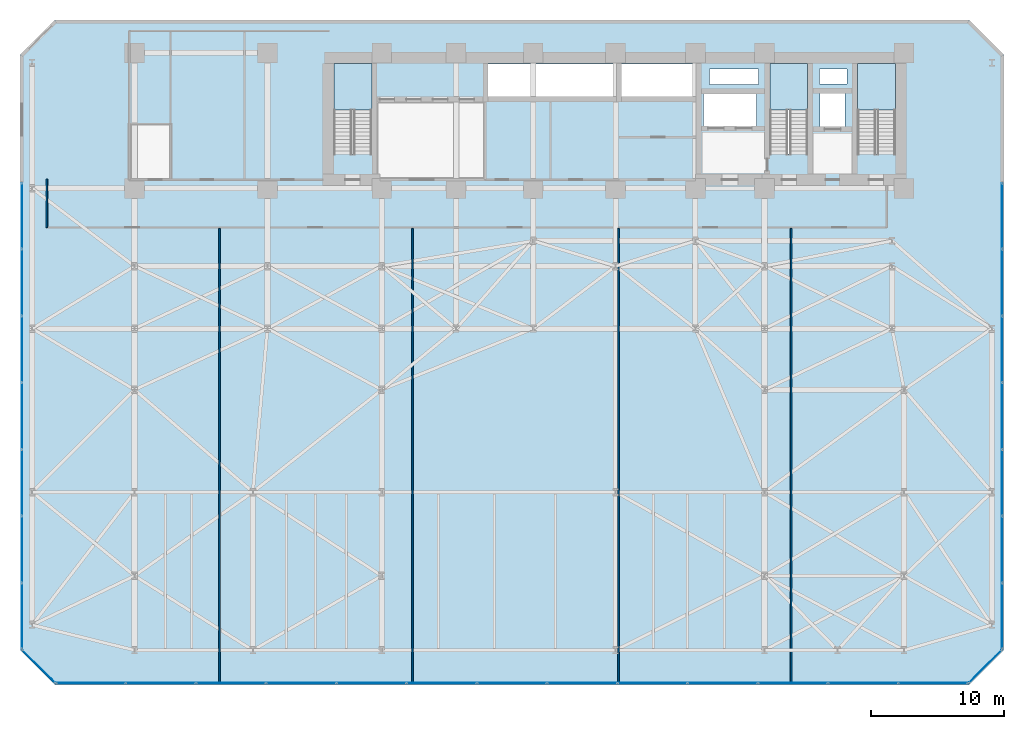
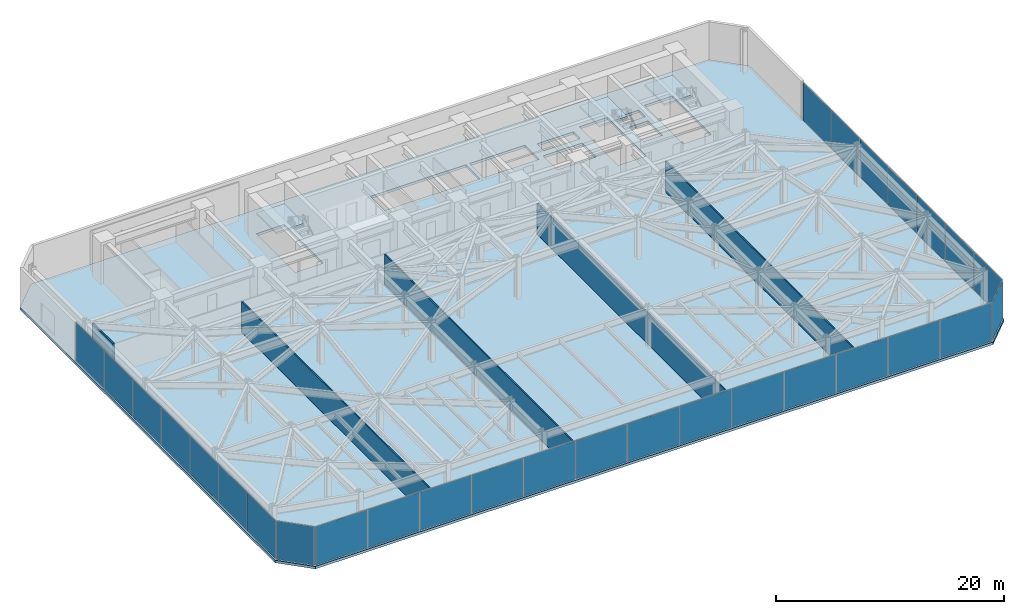
# One storey, part 24 of 28: 29 plates, 5 walls, 4 slabs, 8 elements without a shape of their own.
"""IFC4 building model written with IfcOpenShell, lengths in metres."""

from ifc_helpers import new_model, si_unit, direction, frame, frame_2d, origin, origin_2d, place, context, subcontext, project, spatial, polyline, rectangle, outline, extrude, material, layer, layer_set, type_object, element, aggregate, save


model = new_model("IFC4")

# Units and contexts
model_context = context("Model", 3, precision=1e-05, world=origin(), true_north=direction((0.0, 1.0)))
body_context = subcontext(model_context, "Body", "Model", "MODEL_VIEW")
ifc_project = project(units=[si_unit("LENGTHUNIT", "METRE"), si_unit("AREAUNIT", "SQUARE_METRE"), si_unit("VOLUMEUNIT", "CUBIC_METRE"), si_unit("PLANEANGLEUNIT", "RADIAN"), si_unit("MASSUNIT", "GRAM", prefix="KILO")], contexts=[model_context])

# Site, building, storey
site_placement = place(None, origin())
site = spatial("IfcSite", under=ifc_project, at=site_placement, CompositionType="ELEMENT")
building_placement = place(site_placement, origin())
building = spatial("IfcBuilding", under=site, at=building_placement, Name="Kravanh Interchange Tower", CompositionType="ELEMENT")
storey_placement = place(building_placement, frame((0.0, 0.0, 10.800048828125)))
storey = spatial("IfcBuildingStorey", under=building, at=storey_placement, Name="L02", CompositionType="ELEMENT", Elevation=10.800048828125)

# Slab
ifc_material_1 = material(Name="Concrete C50/60", Category="concrete")
ifc_layer_1 = layer(ifc_material_1, 0.27001953125)
ifc_layer_set_1 = layer_set([ifc_layer_1], Name="Composite Floor Slab Concrete C50/60 270mm")
slab_type_1 = type_object("IfcSlabType", Name="Composite Floor Slab Concrete C50/60 270mm", PredefinedType="FLOOR", material=ifc_layer_set_1)
slab_1_placement = place(storey_placement, frame((0.0, 0.0, -0.27001953125)))
element("IfcSlab", 1, at=slab_1_placement, inside=storey, type_object=slab_type_1, Name="L02 Structural Floor Slab", PredefinedType="FLOOR", context=body_context, shape_type="SweptSolid", body=[
    extrude(outline(polyline([(0.0, 2.60009765625), (2.60009765625, 0.0), (71.39990234375, 0.0), (74.0, 2.60009765625), (74.0, 47.39990234375), (71.39990234375, 50.0), (2.60009765625, 50.0), (0.0, 47.39990234375), (0.0, 2.60009765625)]), holes=[polyline([(65.85009765625, 39.925048828125), (65.85009765625, 46.75), (63.0, 46.75), (63.0, 39.925048828125), (65.85009765625, 39.925048828125)]), polyline([(59.25, 39.925048828125), (59.25, 46.75), (56.39990234375, 46.75), (56.39990234375, 39.925048828125), (59.25, 39.925048828125)]), polyline([(26.449951171875, 39.925048828125), (26.449951171875, 46.75), (23.60009765625, 46.75), (23.60009765625, 39.925048828125), (26.449951171875, 39.925048828125)]), polyline([(35.179931640625, 44.219970703125), (44.840087890625, 44.219970703125), (44.840087890625, 46.699951171875), (35.179931640625, 46.699951171875), (35.179931640625, 44.219970703125)]), polyline([(45.239990234375, 44.219970703125), (50.840087890625, 44.219970703125), (50.840087890625, 46.699951171875), (45.239990234375, 46.699951171875), (45.239990234375, 44.219970703125)]), polyline([(51.419921875, 42.02001953125), (55.3798828125, 42.02001953125), (55.3798828125, 44.47998046875), (51.419921875, 44.47998046875), (51.419921875, 42.02001953125)]), polyline([(60.179931640625, 41.97998046875), (62.06005859375, 41.97998046875), (62.06005859375, 44.52001953125), (60.179931640625, 44.52001953125), (60.179931640625, 41.97998046875)]), polyline([(60.14990234375, 45.199951171875), (62.199951171875, 45.199951171875), (62.199951171875, 46.35009765625), (60.14990234375, 46.35009765625), (60.14990234375, 45.199951171875)]), polyline([(51.85009765625, 45.14990234375), (55.550048828125, 45.14990234375), (55.550048828125, 46.35009765625), (51.85009765625, 46.35009765625), (51.85009765625, 45.14990234375)])]), origin(), (0.0, 0.0, 1.0), 0.27001953125),
])

# Stair, slab
ifc_material_2 = material(Name="Concrete C50/60", Category="concrete")
stair_type = type_object("IfcStairType", Name="Core Fire Exit Dogleg Stair Concrete C50/60", PredefinedType="HALF_TURN_STAIR", material=ifc_material_2)
stair_1_placement = place(storey_placement, origin())
stair_1 = element("IfcStair", 2, at=stair_1_placement, inside=storey, type_object=stair_type, Name="L02 Exit Stair ST1", PredefinedType="HALF_TURN_STAIR")
ifc_material_3 = material(Name="Concrete C50/60", Category="concrete")
ifc_layer_2 = layer(ifc_material_3, 0.199951171875)
ifc_layer_set_2 = layer_set([ifc_layer_2], Name="Concrete C50/60 Stair Half-Landing Slab 200mm")
slab_type_2 = type_object("IfcSlabType", Name="Concrete C50/60 Stair Half-Landing Slab 200mm", PredefinedType="LANDING", material=ifc_layer_set_2)
slab_2_placement = place(storey_placement, frame((0.0, 0.0, 2.050048828125)))
slab_2 = element("IfcSlab", 3, at=slab_2_placement, type_object=slab_type_2, Name="ST1 landing 1", PredefinedType="LANDING", context=body_context, shape_type="SweptSolid", body=[
    extrude(outline(polyline([(65.85009765625, 43.260009765625), (65.85009765625, 46.75), (63.0, 46.75), (63.0, 43.260009765625), (65.85009765625, 43.260009765625)])), origin(), (0.0, 0.0, 1.0), 0.199951171875),
])
aggregate(stair_1, [slab_2])

stair_2_placement = place(storey_placement, origin())
stair_2 = element("IfcStair", 4, at=stair_2_placement, inside=storey, type_object=stair_type, Name="L02 Exit Stair ST2", PredefinedType="HALF_TURN_STAIR")
slab_3_placement = place(storey_placement, frame((0.0, 0.0, 2.050048828125)))
slab_3 = element("IfcSlab", 5, at=slab_3_placement, type_object=slab_type_2, Name="ST2 landing 1", PredefinedType="LANDING", context=body_context, shape_type="SweptSolid", body=[
    extrude(outline(polyline([(59.25, 43.260009765625), (59.25, 46.75), (56.39990234375, 46.75), (56.39990234375, 43.260009765625), (59.25, 43.260009765625)])), origin(), (0.0, 0.0, 1.0), 0.199951171875),
])
aggregate(stair_2, [slab_3])

stair_3_placement = place(storey_placement, origin())
stair_3 = element("IfcStair", 6, at=stair_3_placement, inside=storey, type_object=stair_type, Name="L02 Exit Stair ST3", PredefinedType="HALF_TURN_STAIR")
slab_4_placement = place(storey_placement, frame((0.0, 0.0, 2.050048828125)))
slab_4 = element("IfcSlab", 7, at=slab_4_placement, type_object=slab_type_2, Name="ST3 landing 1", PredefinedType="LANDING", context=body_context, shape_type="SweptSolid", body=[
    extrude(outline(polyline([(26.449951171875, 43.260009765625), (26.449951171875, 46.75), (23.60009765625, 46.75), (23.60009765625, 43.260009765625), (26.449951171875, 43.260009765625)])), origin(), (0.0, 0.0, 1.0), 0.199951171875),
])
aggregate(stair_3, [slab_4])

# Curtain wall, plates
ifc_material_4 = material(Name="Anodised Bronze Aluminium", Category="aluminium")
ifc_layer_3 = layer(ifc_material_4, 0.179931640625)
ifc_layer_set_3 = layer_set([ifc_layer_3], Name="Unitised Curtain Wall System CW-POD Podium Concourse")
curtain_wall_type = type_object("IfcCurtainWallType", Name="Unitised Curtain Wall System CW-POD Podium Concourse", PredefinedType="NOTDEFINED", material=ifc_layer_set_3)
curtain_wall_1_placement = place(storey_placement, origin())
curtain_wall_1 = element("IfcCurtainWall", 8, at=curtain_wall_1_placement, inside=storey, type_object=curtain_wall_type, Name="L02 Unitised Curtain Wall CW-L02-01", PredefinedType="NOTDEFINED")
ifc_material_5 = material(Name="Low-E Laminated Architectural Glass", Category="glass")
ifc_layer_4 = layer(ifc_material_5, 0.031982421875)
ifc_layer_set_4 = layer_set([ifc_layer_4], Name="Low-E Laminated Glazing 32mm")
plate_type = type_object("IfcPlateType", Name="Low-E Laminated Glazing 32mm", PredefinedType="CURTAIN_PANEL", material=ifc_layer_set_4)
plate_1_placement = place(storey_placement, frame((0.1201171875, 5.177978515625, 0.06005859375), z_axis=(0.0, 0.0, 1.0), x_axis=(0.0, 1.0, 0.0)))
plate_1 = element("IfcPlate", 9, at=plate_1_placement, type_object=plate_type, Name="CW-POD panel 1.1", PredefinedType="CURTAIN_PANEL", context=body_context, shape_type="SweptSolid", body=[
    extrude(rectangle(XDim=4.91650390625, YDim=0.031982421875, at=origin_2d()), origin(), (0.0, 0.0, 1.0), 4.110107421875),
])
plate_2_placement = place(storey_placement, frame((0.1201171875, 10.181884765625, 0.06005859375), z_axis=(0.0, 0.0, 1.0), x_axis=(0.0, 1.0, 0.0)))
plate_2 = element("IfcPlate", 10, at=plate_2_placement, type_object=plate_type, Name="CW-POD panel 2.1", PredefinedType="CURTAIN_PANEL", context=body_context, shape_type="SweptSolid", body=[
    extrude(rectangle(XDim=4.951416015625, YDim=0.031982421875, at=origin_2d()), origin(), (0.0, 0.0, 1.0), 4.110107421875),
])
plate_3_placement = place(storey_placement, frame((0.1201171875, 15.203369140625, 0.06005859375), z_axis=(0.0, 0.0, 1.0), x_axis=(0.0, 1.0, 0.0)))
plate_3 = element("IfcPlate", 11, at=plate_3_placement, type_object=plate_type, Name="CW-POD panel 3.1", PredefinedType="CURTAIN_PANEL", context=body_context, shape_type="SweptSolid", body=[
    extrude(rectangle(XDim=4.951416015625, YDim=0.031982421875, at=origin_2d()), origin(), (0.0, 0.0, 1.0), 4.110107421875),
])
plate_4_placement = place(storey_placement, frame((0.1201171875, 20.224853515625, 0.06005859375), z_axis=(0.0, 0.0, 1.0), x_axis=(0.0, 1.0, 0.0)))
plate_4 = element("IfcPlate", 12, at=plate_4_placement, type_object=plate_type, Name="CW-POD panel 4.1", PredefinedType="CURTAIN_PANEL", context=body_context, shape_type="SweptSolid", body=[
    extrude(rectangle(XDim=4.951416015625, YDim=0.031982421875, at=origin_2d()), origin(), (0.0, 0.0, 1.0), 4.110107421875),
])
plate_5_placement = place(storey_placement, frame((0.1201171875, 25.246337890625, 0.06005859375), z_axis=(0.0, 0.0, 1.0), x_axis=(0.0, 1.0, 0.0)))
plate_5 = element("IfcPlate", 13, at=plate_5_placement, type_object=plate_type, Name="CW-POD panel 5.1", PredefinedType="CURTAIN_PANEL", context=body_context, shape_type="SweptSolid", body=[
    extrude(rectangle(XDim=4.951416015625, YDim=0.031982421875, at=origin_2d()), origin(), (0.0, 0.0, 1.0), 4.110107421875),
])
plate_6_placement = place(storey_placement, frame((0.1201171875, 30.267822265625, 0.06005859375), z_axis=(0.0, 0.0, 1.0), x_axis=(0.0, 1.0, 0.0)))
plate_6 = element("IfcPlate", 14, at=plate_6_placement, type_object=plate_type, Name="CW-POD panel 6.1", PredefinedType="CURTAIN_PANEL", context=body_context, shape_type="SweptSolid", body=[
    extrude(rectangle(XDim=4.951416015625, YDim=0.031982421875, at=origin_2d()), origin(), (0.0, 0.0, 1.0), 4.110107421875),
])
plate_7_placement = place(storey_placement, frame((0.1201171875, 35.271728515625, 0.06005859375), z_axis=(0.0, 0.0, 1.0), x_axis=(0.0, 1.0, 0.0)))
plate_7 = element("IfcPlate", 15, at=plate_7_placement, type_object=plate_type, Name="CW-POD panel 7.1", PredefinedType="CURTAIN_PANEL", context=body_context, shape_type="SweptSolid", body=[
    extrude(rectangle(XDim=4.91650390625, YDim=0.031982421875, at=origin_2d()), origin(), (0.0, 0.0, 1.0), 4.110107421875),
])
aggregate(curtain_wall_1, [plate_1, plate_2, plate_3, plate_4, plate_5, plate_6, plate_7])

curtain_wall_2_placement = place(storey_placement, origin())
curtain_wall_2 = element("IfcCurtainWall", 16, at=curtain_wall_2_placement, inside=storey, type_object=curtain_wall_type, Name="L02 Unitised Curtain Wall CW-L02-02", PredefinedType="NOTDEFINED")
plate_8_placement = place(storey_placement, frame((73.8798828125, 35.271728515625, 0.06005859375), z_axis=(0.0, 0.0, 1.0), x_axis=(0.0, -1.0, 0.0)))
plate_8 = element("IfcPlate", 17, at=plate_8_placement, type_object=plate_type, Name="CW-POD panel 1.1", PredefinedType="CURTAIN_PANEL", context=body_context, shape_type="SweptSolid", body=[
    extrude(rectangle(XDim=4.91650390625, YDim=0.031982421875, at=origin_2d()), origin(), (0.0, 0.0, 1.0), 4.110107421875),
])
plate_9_placement = place(storey_placement, frame((73.8798828125, 30.267822265625, 0.06005859375), z_axis=(0.0, 0.0, 1.0), x_axis=(0.0, -1.0, 0.0)))
plate_9 = element("IfcPlate", 18, at=plate_9_placement, type_object=plate_type, Name="CW-POD panel 2.1", PredefinedType="CURTAIN_PANEL", context=body_context, shape_type="SweptSolid", body=[
    extrude(rectangle(XDim=4.951416015625, YDim=0.031982421875, at=origin_2d()), origin(), (0.0, 0.0, 1.0), 4.110107421875),
])
plate_10_placement = place(storey_placement, frame((73.8798828125, 25.246337890625, 0.06005859375), z_axis=(0.0, 0.0, 1.0), x_axis=(0.0, -1.0, 0.0)))
plate_10 = element("IfcPlate", 19, at=plate_10_placement, type_object=plate_type, Name="CW-POD panel 3.1", PredefinedType="CURTAIN_PANEL", context=body_context, shape_type="SweptSolid", body=[
    extrude(rectangle(XDim=4.951416015625, YDim=0.031982421875, at=origin_2d()), origin(), (0.0, 0.0, 1.0), 4.110107421875),
])
plate_11_placement = place(storey_placement, frame((73.8798828125, 20.224853515625, 0.06005859375), z_axis=(0.0, 0.0, 1.0), x_axis=(0.0, -1.0, 0.0)))
plate_11 = element("IfcPlate", 20, at=plate_11_placement, type_object=plate_type, Name="CW-POD panel 4.1", PredefinedType="CURTAIN_PANEL", context=body_context, shape_type="SweptSolid", body=[
    extrude(rectangle(XDim=4.951416015625, YDim=0.031982421875, at=origin_2d()), origin(), (0.0, 0.0, 1.0), 4.110107421875),
])
plate_12_placement = place(storey_placement, frame((73.8798828125, 15.203369140625, 0.06005859375), z_axis=(0.0, 0.0, 1.0), x_axis=(0.0, -1.0, 0.0)))
plate_12 = element("IfcPlate", 21, at=plate_12_placement, type_object=plate_type, Name="CW-POD panel 5.1", PredefinedType="CURTAIN_PANEL", context=body_context, shape_type="SweptSolid", body=[
    extrude(rectangle(XDim=4.951416015625, YDim=0.031982421875, at=origin_2d()), origin(), (0.0, 0.0, 1.0), 4.110107421875),
])
plate_13_placement = place(storey_placement, frame((73.8798828125, 10.181884765625, 0.06005859375), z_axis=(0.0, 0.0, 1.0), x_axis=(0.0, -1.0, 0.0)))
plate_13 = element("IfcPlate", 22, at=plate_13_placement, type_object=plate_type, Name="CW-POD panel 6.1", PredefinedType="CURTAIN_PANEL", context=body_context, shape_type="SweptSolid", body=[
    extrude(rectangle(XDim=4.951416015625, YDim=0.031982421875, at=origin_2d()), origin(), (0.0, 0.0, 1.0), 4.110107421875),
])
plate_14_placement = place(storey_placement, frame((73.8798828125, 5.177978515625, 0.06005859375), z_axis=(0.0, 0.0, 1.0), x_axis=(0.0, -1.0, 0.0)))
plate_14 = element("IfcPlate", 23, at=plate_14_placement, type_object=plate_type, Name="CW-POD panel 7.1", PredefinedType="CURTAIN_PANEL", context=body_context, shape_type="SweptSolid", body=[
    extrude(rectangle(XDim=4.91650390625, YDim=0.031982421875, at=origin_2d()), origin(), (0.0, 0.0, 1.0), 4.110107421875),
])
aggregate(curtain_wall_2, [plate_8, plate_9, plate_10, plate_11, plate_12, plate_13, plate_14])

# Curtain wall, plate
curtain_wall_3_placement = place(storey_placement, origin())
curtain_wall_3 = element("IfcCurtainWall", 24, at=curtain_wall_3_placement, inside=storey, type_object=curtain_wall_type, Name="L02 Unitised Curtain Wall CW-L02-03", PredefinedType="NOTDEFINED")
plate_15_placement = place(storey_placement, frame((72.615234375, 1.384765625, 0.06005859375), z_axis=(0.0, 0.0, 1.0), x_axis=(-0.707106781187, -0.707106781187, 0.0)))
plate_15 = element("IfcPlate", 25, at=plate_15_placement, type_object=plate_type, Name="CW-POD panel 1.1", PredefinedType="CURTAIN_PANEL", context=body_context, shape_type="SweptSolid", body=[
    extrude(rectangle(XDim=3.4375, YDim=0.031982421875, at=origin_2d()), origin(), (0.0, 0.0, 1.0), 4.110107421875),
])
aggregate(curtain_wall_3, [plate_15])

# Curtain wall, plates
curtain_wall_4_placement = place(storey_placement, origin())
curtain_wall_4 = element("IfcCurtainWall", 26, at=curtain_wall_4_placement, inside=storey, type_object=curtain_wall_type, Name="L02 Unitised Curtain Wall CW-L02-04", PredefinedType="NOTDEFINED")
plate_16_placement = place(storey_placement, frame((68.6904296875, 0.1201171875, 0.06005859375), z_axis=(0.0, 0.0, 1.0), x_axis=(-1.0, 0.0, 0.0)))
plate_16 = element("IfcPlate", 27, at=plate_16_placement, type_object=plate_type, Name="CW-POD panel 1.1", PredefinedType="CURTAIN_PANEL", context=body_context, shape_type="SweptSolid", body=[
    extrude(rectangle(XDim=5.1796875, YDim=0.031982421875, at=origin_2d()), origin(), (0.0, 0.0, 1.0), 4.110107421875),
])
plate_17_placement = place(storey_placement, frame((63.42333984375, 0.1201171875, 0.06005859375), z_axis=(0.0, 0.0, 1.0), x_axis=(-1.0, 0.0, 0.0)))
plate_17 = element("IfcPlate", 28, at=plate_17_placement, type_object=plate_type, Name="CW-POD panel 2.1", PredefinedType="CURTAIN_PANEL", context=body_context, shape_type="SweptSolid", body=[
    extrude(rectangle(XDim=5.214599609375, YDim=0.031982421875, at=origin_2d()), origin(), (0.0, 0.0, 1.0), 4.110107421875),
])
plate_18_placement = place(storey_placement, frame((58.138671875, 0.1201171875, 0.06005859375), z_axis=(0.0, 0.0, 1.0), x_axis=(-1.0, 0.0, 0.0)))
plate_18 = element("IfcPlate", 29, at=plate_18_placement, type_object=plate_type, Name="CW-POD panel 3.1", PredefinedType="CURTAIN_PANEL", context=body_context, shape_type="SweptSolid", body=[
    extrude(rectangle(XDim=5.214599609375, YDim=0.031982421875, at=origin_2d()), origin(), (0.0, 0.0, 1.0), 4.110107421875),
])
plate_19_placement = place(storey_placement, frame((52.85400390625, 0.1201171875, 0.06005859375), z_axis=(0.0, 0.0, 1.0), x_axis=(-1.0, 0.0, 0.0)))
plate_19 = element("IfcPlate", 30, at=plate_19_placement, type_object=plate_type, Name="CW-POD panel 4.1", PredefinedType="CURTAIN_PANEL", context=body_context, shape_type="SweptSolid", body=[
    extrude(rectangle(XDim=5.214599609375, YDim=0.031982421875, at=origin_2d()), origin(), (0.0, 0.0, 1.0), 4.110107421875),
])
plate_20_placement = place(storey_placement, frame((47.5693359375, 0.1201171875, 0.06005859375), z_axis=(0.0, 0.0, 1.0), x_axis=(-1.0, 0.0, 0.0)))
plate_20 = element("IfcPlate", 31, at=plate_20_placement, type_object=plate_type, Name="CW-POD panel 5.1", PredefinedType="CURTAIN_PANEL", context=body_context, shape_type="SweptSolid", body=[
    extrude(rectangle(XDim=5.214599609375, YDim=0.031982421875, at=origin_2d()), origin(), (0.0, 0.0, 1.0), 4.110107421875),
])
plate_21_placement = place(storey_placement, frame((42.28466796875, 0.1201171875, 0.06005859375), z_axis=(0.0, 0.0, 1.0), x_axis=(-1.0, 0.0, 0.0)))
plate_21 = element("IfcPlate", 32, at=plate_21_placement, type_object=plate_type, Name="CW-POD panel 6.1", PredefinedType="CURTAIN_PANEL", context=body_context, shape_type="SweptSolid", body=[
    extrude(rectangle(XDim=5.214599609375, YDim=0.031982421875, at=origin_2d()), origin(), (0.0, 0.0, 1.0), 4.110107421875),
])
plate_22_placement = place(storey_placement, frame((37.0, 0.1201171875, 0.06005859375), z_axis=(0.0, 0.0, 1.0), x_axis=(-1.0, 0.0, 0.0)))
plate_22 = element("IfcPlate", 33, at=plate_22_placement, type_object=plate_type, Name="CW-POD panel 7.1", PredefinedType="CURTAIN_PANEL", context=body_context, shape_type="SweptSolid", body=[
    extrude(rectangle(XDim=5.214599609375, YDim=0.031982421875, at=origin_2d()), origin(), (0.0, 0.0, 1.0), 4.110107421875),
])
plate_23_placement = place(storey_placement, frame((31.71533203125, 0.1201171875, 0.06005859375), z_axis=(0.0, 0.0, 1.0), x_axis=(-1.0, 0.0, 0.0)))
plate_23 = element("IfcPlate", 34, at=plate_23_placement, type_object=plate_type, Name="CW-POD panel 8.1", PredefinedType="CURTAIN_PANEL", context=body_context, shape_type="SweptSolid", body=[
    extrude(rectangle(XDim=5.214599609375, YDim=0.031982421875, at=origin_2d()), origin(), (0.0, 0.0, 1.0), 4.110107421875),
])
plate_24_placement = place(storey_placement, frame((26.4306640625, 0.1201171875, 0.06005859375), z_axis=(0.0, 0.0, 1.0), x_axis=(-1.0, 0.0, 0.0)))
plate_24 = element("IfcPlate", 35, at=plate_24_placement, type_object=plate_type, Name="CW-POD panel 9.1", PredefinedType="CURTAIN_PANEL", context=body_context, shape_type="SweptSolid", body=[
    extrude(rectangle(XDim=5.214599609375, YDim=0.031982421875, at=origin_2d()), origin(), (0.0, 0.0, 1.0), 4.110107421875),
])
plate_25_placement = place(storey_placement, frame((21.14599609375, 0.1201171875, 0.06005859375), z_axis=(0.0, 0.0, 1.0), x_axis=(-1.0, 0.0, 0.0)))
plate_25 = element("IfcPlate", 36, at=plate_25_placement, type_object=plate_type, Name="CW-POD panel 10.1", PredefinedType="CURTAIN_PANEL", context=body_context, shape_type="SweptSolid", body=[
    extrude(rectangle(XDim=5.214599609375, YDim=0.031982421875, at=origin_2d()), origin(), (0.0, 0.0, 1.0), 4.110107421875),
])
plate_26_placement = place(storey_placement, frame((15.861328125, 0.1201171875, 0.06005859375), z_axis=(0.0, 0.0, 1.0), x_axis=(-1.0, 0.0, 0.0)))
plate_26 = element("IfcPlate", 37, at=plate_26_placement, type_object=plate_type, Name="CW-POD panel 11.1", PredefinedType="CURTAIN_PANEL", context=body_context, shape_type="SweptSolid", body=[
    extrude(rectangle(XDim=5.214599609375, YDim=0.031982421875, at=origin_2d()), origin(), (0.0, 0.0, 1.0), 4.110107421875),
])
plate_27_placement = place(storey_placement, frame((10.57666015625, 0.1201171875, 0.06005859375), z_axis=(0.0, 0.0, 1.0), x_axis=(-1.0, 0.0, 0.0)))
plate_27 = element("IfcPlate", 38, at=plate_27_placement, type_object=plate_type, Name="CW-POD panel 12.1", PredefinedType="CURTAIN_PANEL", context=body_context, shape_type="SweptSolid", body=[
    extrude(rectangle(XDim=5.214599609375, YDim=0.031982421875, at=origin_2d()), origin(), (0.0, 0.0, 1.0), 4.110107421875),
])
plate_28_placement = place(storey_placement, frame((5.3095703125, 0.1201171875, 0.06005859375), z_axis=(0.0, 0.0, 1.0), x_axis=(-1.0, 0.0, 0.0)))
plate_28 = element("IfcPlate", 39, at=plate_28_placement, type_object=plate_type, Name="CW-POD panel 13.1", PredefinedType="CURTAIN_PANEL", context=body_context, shape_type="SweptSolid", body=[
    extrude(rectangle(XDim=5.1796875, YDim=0.031982421875, at=origin_2d()), origin(), (0.0, 0.0, 1.0), 4.110107421875),
])
aggregate(curtain_wall_4, [plate_16, plate_17, plate_18, plate_19, plate_20, plate_21, plate_22, plate_23, plate_24, plate_25, plate_26, plate_27, plate_28])

# Curtain wall, plate
curtain_wall_5_placement = place(storey_placement, origin())
curtain_wall_5 = element("IfcCurtainWall", 40, at=curtain_wall_5_placement, inside=storey, type_object=curtain_wall_type, Name="L02 Unitised Curtain Wall CW-L02-05", PredefinedType="NOTDEFINED")
plate_29_placement = place(storey_placement, frame((1.384765625, 1.384765625, 0.06005859375), z_axis=(0.0, 0.0, 1.0), x_axis=(-0.707106781187, 0.707106781187, 0.0)))
plate_29 = element("IfcPlate", 41, at=plate_29_placement, type_object=plate_type, Name="CW-POD panel 1.1", PredefinedType="CURTAIN_PANEL", context=body_context, shape_type="SweptSolid", body=[
    extrude(rectangle(XDim=3.4375, YDim=0.031982421875, at=origin_2d()), origin(), (0.0, 0.0, 1.0), 4.110107421875),
])
aggregate(curtain_wall_5, [plate_29])

# Walls
ifc_material_6 = material(Name="Double Acoustic Gypsum Board and Mineral Wool")
ifc_layer_5 = layer(ifc_material_6, 0.1201171875)
ifc_layer_set_5 = layer_set([ifc_layer_5], Name="Acoustic Office Drywall Partition 120mm")
wall_type = type_object("IfcWallType", Name="Acoustic Office Drywall Partition 120mm", PredefinedType="PARTITIONING", material=ifc_layer_set_5)
wall_placement = place(storey_placement, frame((2.0, 34.39990234375, 0.0), z_axis=(0.0, 0.0, 1.0), x_axis=(0.0, 1.0, 0.0)))
element("IfcWall", 42, at=wall_placement, inside=storey, type_object=wall_type, Name="L02 Interior Partition 8", PredefinedType="PARTITIONING", context=body_context, shape_type="SweptSolid", body=[
    extrude(rectangle(XDim=3.650146484375, YDim=0.1201171875, at=frame_2d((1.8251953125, 0.0))), origin(), (0.0, 0.0, 1.0), 3.281982421875),
])
for number, where, z_axis, x_axis, name in (
    (43, (15.0, 0.199951171875, 0.0), (0.0, 0.0, 1.0), (0.0, 1.0, 0.0), "L02 Interior Partition 16"),
    (44, (29.5, 0.199951171875, 0.0), (0.0, 0.0, 1.0), (0.0, 1.0, 0.0), "L02 Interior Partition 17"),
    (45, (45.0, 0.199951171875, 0.0), (0.0, 0.0, 1.0), (0.0, 1.0, 0.0), "L02 Interior Partition 18"),
    (46, (58.0, 0.199951171875, 0.0), (0.0, 0.0, 1.0), (0.0, 1.0, 0.0), "L02 Interior Partition 19"),
):
    element("IfcWall", number, at=place(storey_placement, frame(where, z_axis=z_axis, x_axis=x_axis)), inside=storey, type_object=wall_type, Name=name, PredefinedType="PARTITIONING", context=body_context, shape_type="SweptSolid", body=[
        extrude(rectangle(XDim=34.132080078125, YDim=0.1201171875, at=frame_2d((17.06591796875, 0.0))), origin(), (0.0, 0.0, 1.0), 3.281982421875),
    ])

save(model, "model.ifc")
